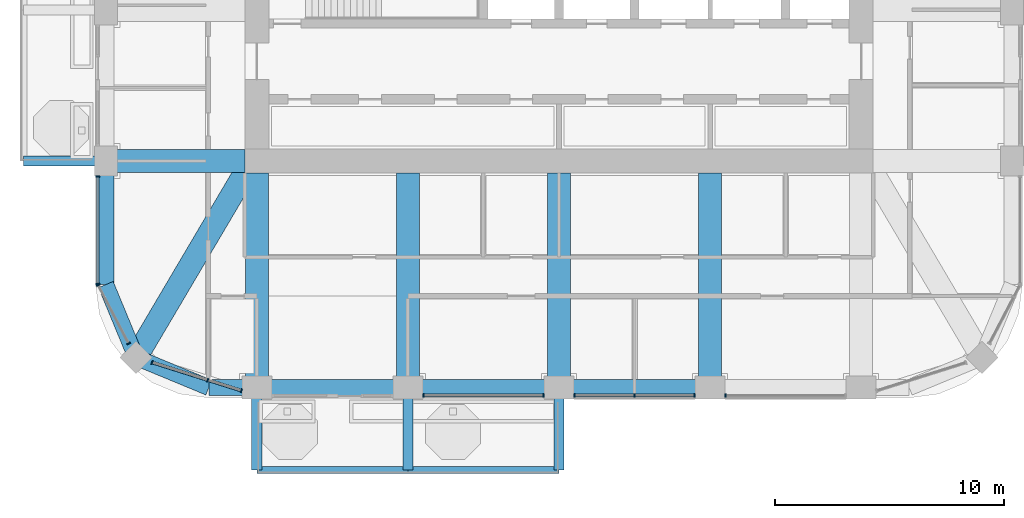
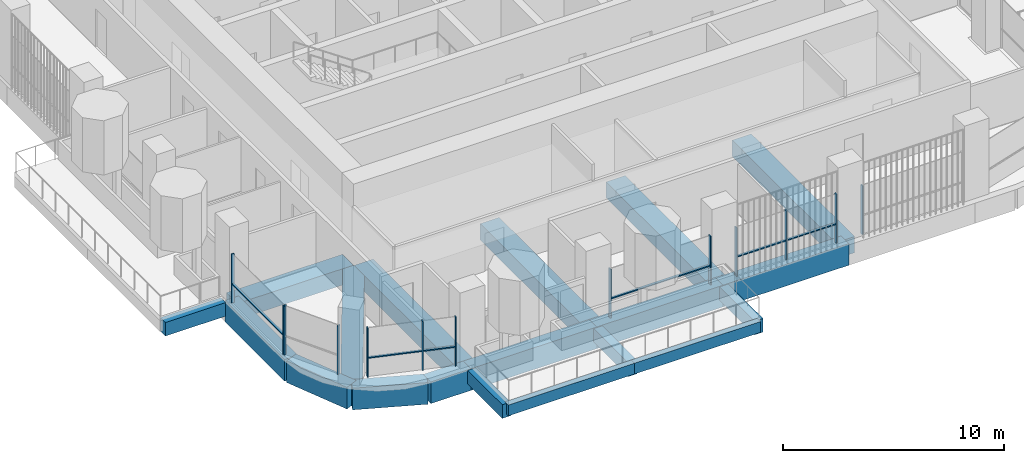
# One storey, part 2 of 20: 19 beams, 19 members, 6 elements without a shape of their own.
"""IFC4 building model written with IfcOpenShell, lengths in metres."""

import ifcopenshell
import ifcopenshell.guid

model = None  # the IFC model being written
_history = None  # IfcOwnerHistory: only IFC2X3 demands one
_inside = {}  # id of a spatial element -> (the spatial element, [elements in it])
_under = {}  # id of a project, library or spatial element -> (it, [spatial elements below it])
_declared = {}  # id of a project -> (the project, [libraries it declares])
_typed = {}  # id of a type object -> (the type object, [elements of that type])
_made_of = {}  # id of a material, layer set ... -> (it, [elements and type objects made of it])


def new_model(schema):
    """Start an empty IFC model of exactly this schema.

    Asked for "IFC4X3", IfcOpenShell would pick the latest addendum, in which some entities
    have other attributes; the version numbers below select the first issue.
    IFC2X3 requires an IfcOwnerHistory on every rooted entity: one is made here for all.
    """
    global model, _history
    if schema == "IFC4X3":
        model = ifcopenshell.file(schema_version=(4, 3, 0, 0))
    else:
        model = ifcopenshell.file(schema=schema)
    _inside.clear()
    _under.clear()
    _declared.clear()
    _typed.clear()
    _made_of.clear()
    _history = None
    if model.schema == "IFC2X3":
        org = make("IfcOrganization", Name="unknown")
        user = make(
            "IfcPersonAndOrganization",
            ThePerson=make("IfcPerson", FamilyName="unknown"),
            TheOrganization=org,
        )
        app = make(
            "IfcApplication",
            ApplicationDeveloper=org,
            Version="unknown",
            ApplicationFullName="unknown",
            ApplicationIdentifier="unknown",
        )
        _history = make(
            "IfcOwnerHistory",
            OwningUser=user,
            OwningApplication=app,
            ChangeAction="ADDED",
            CreationDate=0,
        )
    return model


def make(cls, **values):
    """One entity of the class cls with the attributes given. An attribute that is None is left unset."""
    return model.create_entity(
        cls, **{name: value for name, value in values.items() if value is not None}
    )


def rooted(cls, **values):
    """An entity with a GlobalId (a new one), such as an element, a storey or a relation."""
    return make(cls, GlobalId=ifcopenshell.guid.new(), OwnerHistory=_history, **values)


def si_unit(unit_type, name, prefix=None):
    """IfcSIUnit, for example si_unit("LENGTHUNIT", "METRE", prefix="MILLI")."""
    return make("IfcSIUnit", UnitType=unit_type, Prefix=prefix, Name=name)


def assignment(units):
    """IfcUnitAssignment: the units of a project."""
    return None if units is None else make("IfcUnitAssignment", Units=units)


def point(xyz):
    """IfcCartesianPoint."""
    return None if xyz is None else make("IfcCartesianPoint", Coordinates=xyz)


def direction(xyz):
    """IfcDirection."""
    return None if xyz is None else make("IfcDirection", DirectionRatios=xyz)


def frame(location, z_axis=None, x_axis=None):
    """IfcAxis2Placement3D, a coordinate frame: its origin and axes. An axis left out is left unset."""
    return make(
        "IfcAxis2Placement3D",
        Location=point(location),
        Axis=direction(z_axis),
        RefDirection=direction(x_axis),
    )


def frame_2d(location, x_axis=None):
    """IfcAxis2Placement2D, a coordinate frame in the plane: its origin and x axis."""
    return make(
        "IfcAxis2Placement2D", Location=point(location), RefDirection=direction(x_axis)
    )


def origin():
    """The frame at (0, 0, 0) with its axes left unset."""
    return frame((0.0, 0.0, 0.0))


def origin_2d():
    """The frame at (0, 0) in the plane with its x axis left unset."""
    return frame_2d((0.0, 0.0))


def place(relative_to, where):
    """IfcLocalPlacement: puts the frame where relative to a parent placement (None: the world)."""
    return make(
        "IfcLocalPlacement", PlacementRelTo=relative_to, RelativePlacement=where
    )


def context(
    kind, dimensions, precision=None, world=None, true_north=None, identifier=None
):
    """IfcGeometricRepresentationContext, for example the 3D "Model" context."""
    return make(
        "IfcGeometricRepresentationContext",
        ContextIdentifier=identifier,
        ContextType=kind,
        CoordinateSpaceDimension=dimensions,
        Precision=precision,
        WorldCoordinateSystem=world,
        TrueNorth=true_north,
    )


def subcontext(parent, identifier, kind, view, scale=None):
    """IfcGeometricRepresentationSubContext, for example "Body" below "Model"."""
    return make(
        "IfcGeometricRepresentationSubContext",
        ContextIdentifier=identifier,
        ContextType=kind,
        ParentContext=parent,
        TargetScale=scale,
        TargetView=view,
    )


def project(units=None, contexts=None):
    """IfcProject with its units and contexts."""
    return rooted(
        "IfcProject",
        Name="project",
        RepresentationContexts=contexts,
        UnitsInContext=assignment(units),
    )


def spatial(cls, under=None, at=None, **own):
    """A site, building, storey or space (cls), placed at a placement, below another one or the project."""
    s = rooted(cls, ObjectPlacement=at, **own)
    if under is not None:
        _under.setdefault(under.id(), (under, []))[1].append(s)
    return s


def profile(cls, at=None, kind="AREA", **sizes):
    """A parametric profile (cls). Its sizes go by their IFC names, for example OverallWidth=200.0."""
    return make(cls, ProfileType=kind, Position=at, **sizes)


def rectangle(**sizes):
    """IfcRectangleProfileDef."""
    return profile("IfcRectangleProfileDef", **sizes)


def extrude(swept, where, along, depth):
    """IfcExtrudedAreaSolid: the profile swept, set in the frame where, extruded along a direction by depth."""
    return make(
        "IfcExtrudedAreaSolid",
        SweptArea=swept,
        Position=where,
        ExtrudedDirection=direction(along),
        Depth=depth,
    )


def shape(context_of_items, identifier, shape_type, items):
    """IfcShapeRepresentation: the items that make up one representation, for example the "Body"."""
    return make(
        "IfcShapeRepresentation",
        ContextOfItems=context_of_items,
        RepresentationIdentifier=identifier,
        RepresentationType=shape_type,
        Items=items,
    )


def material(Name=None, Category=None):
    """IfcMaterial."""
    return make("IfcMaterial", Name=Name, Category=Category)


def material_profile(
    of_material, cross_section, Name=None, Category=None, Priority=None
):
    """IfcMaterialProfile: a cross section and its material."""
    return make(
        "IfcMaterialProfile",
        Name=Name,
        Material=of_material,
        Profile=cross_section,
        Priority=Priority,
        Category=Category,
    )


def profile_set(profiles, Name=None, composite=None):
    """IfcMaterialProfileSet."""
    return make(
        "IfcMaterialProfileSet",
        Name=Name,
        MaterialProfiles=profiles,
        CompositeProfile=composite,
    )


def made_of(thing, what):
    """Note that an element or type object is made of a material, layer set ...; save() writes the relation."""
    if what is not None:
        _made_of.setdefault(what.id(), (what, []))[1].append(thing)
    return thing


def type_object(cls, material=None, **own):
    """A type object (cls), such as IfcWallType, which elements share."""
    return made_of(rooted(cls, **own), material)


def element(
    cls,
    number,
    at=None,
    inside=None,
    cuts=None,
    type_object=None,
    material=None,
    context=None,
    identifier="Body",
    shape_type=None,
    held_by="IfcProductDefinitionShape",
    body=None,
    shapes=None,
    **own,
):
    """One element of the class cls, such as IfcWall. Its Tag is "e" and its number.

    at: its placement. inside: the storey or other place that contains it. cuts: it is an
    opening in that element (IfcRelVoidsElement). A single representation is given by context,
    identifier, shape_type and body (its items); several are given by shapes. held_by: the class
    of the entity that holds the representations. save() writes the other relations.
    """
    e = rooted(cls, Tag="e%d" % number, ObjectPlacement=at, **own)
    if body is not None:
        shapes = [shape(context, identifier, shape_type, body)]
    if shapes is not None:
        e.Representation = make(held_by, Representations=shapes)
    if inside is not None:
        _inside.setdefault(inside.id(), (inside, []))[1].append(e)
    if cuts is not None:
        rooted(
            "IfcRelVoidsElement", RelatingBuildingElement=cuts, RelatedOpeningElement=e
        )
    if type_object is not None:
        _typed.setdefault(type_object.id(), (type_object, []))[1].append(e)
    return made_of(e, material)


def aggregate(whole, parts):
    """IfcRelAggregates: a whole, such as a stair, and the parts it consists of."""
    return rooted("IfcRelAggregates", RelatingObject=whole, RelatedObjects=parts)


def save(model, path):
    """Write the relations noted so far, then the file.

    IfcRelAggregates (storeys below a building ...), IfcRelContainedInSpatialStructure (elements
    in a storey), IfcRelDefinesByType, IfcRelAssociatesMaterial and IfcRelDeclares: one each for
    every whole, place, type object, material and project.
    """
    for whole, parts in _under.values():
        aggregate(whole, parts)
    for where, things in _inside.values():
        rooted(
            "IfcRelContainedInSpatialStructure",
            RelatedElements=things,
            RelatingStructure=where,
        )
    for kind, things in _typed.values():
        rooted("IfcRelDefinesByType", RelatedObjects=things, RelatingType=kind)
    for what, things in _made_of.values():
        rooted("IfcRelAssociatesMaterial", RelatedObjects=things, RelatingMaterial=what)
    for by, libraries in _declared.values():
        rooted("IfcRelDeclares", RelatingContext=by, RelatedDefinitions=libraries)
    model.write(path)


model = new_model("IFC4")

# Units and contexts
model_context = context("Model", 3, precision=1e-05, world=origin(), true_north=direction((0.0, 1.0)))
body_context = subcontext(model_context, "Body", "Model", "MODEL_VIEW")
ifc_project = project(units=[si_unit("LENGTHUNIT", "METRE"), si_unit("AREAUNIT", "SQUARE_METRE"), si_unit("VOLUMEUNIT", "CUBIC_METRE"), si_unit("PLANEANGLEUNIT", "RADIAN"), si_unit("MASSUNIT", "GRAM", prefix="KILO")], contexts=[model_context])

# Site, building, storey
site_placement = place(None, origin())
site = spatial("IfcSite", under=ifc_project, at=site_placement, CompositionType="ELEMENT")
building_placement = place(site_placement, origin())
building = spatial("IfcBuilding", under=site, at=building_placement, Name="Cobogo Forest Laboratory Tower", CompositionType="ELEMENT")
storey_placement = place(building_placement, frame((0.0, 0.0, 254.39990234375)))
storey = spatial("IfcBuildingStorey", under=building, at=storey_placement, Name="L58", CompositionType="ELEMENT", Elevation=254.39990234375)

# Beams
ifc_material_1 = material(Name="Concrete HA-40 (C40/50)", Category="concrete")
ifc_material_profile_1 = material_profile(ifc_material_1, rectangle(XDim=0.449951171875, YDim=0.75, at=origin_2d()), Name="RC 450x750")
ifc_profile_set_1 = profile_set([ifc_material_profile_1], Name="Concrete HA-40 (C40/50)")
beam_type_1 = type_object("IfcBeamType", Name="Balcony cantilever beam 450x750", PredefinedType="BEAM", material=ifc_profile_set_1)
for number, where, z_axis, x_axis, name in (
    (1, (13.199951171875, 2.85009765625, -0.625), (0.0, -1.0, 0.0), (1.0, 0.0, 0.0), "CB1 BAL-S1-C1 L58"),
    (2, (19.800048828125, 2.85009765625, -0.625), (0.0, -1.0, 0.0), (1.0, 0.0, 0.0), "CB1 BAL-S1-C2 L58"),
    (3, (26.39990234375, 2.85009765625, -0.625), (0.0, -1.0, 0.0), (1.0, 0.0, 0.0), "CB1 BAL-S1-C3 L58"),
):
    element("IfcBeam", number, at=place(storey_placement, frame(where, z_axis=z_axis, x_axis=x_axis)), inside=storey, type_object=beam_type_1, Name=name, PredefinedType="BEAM", context=body_context, shape_type="SweptSolid", body=[
        extrude(rectangle(XDim=0.449951171875, YDim=0.75, at=origin_2d()), origin(), (0.0, 0.0, 1.0), 3.150146484375),
    ])
beam_1_placement = place(storey_placement, frame((6.14990234375, 13.199951171875, -0.625), z_axis=(-1.0, 0.0, 0.0), x_axis=(0.0, -1.0, 0.0)))
element("IfcBeam", 4, at=beam_1_placement, inside=storey, type_object=beam_type_1, Name="CB1 BAL-W1-C1 L58", PredefinedType="BEAM", context=body_context, shape_type="SweptSolid", body=[
    extrude(rectangle(XDim=0.449951171875, YDim=0.75, at=origin_2d()), origin(), (0.0, 0.0, 1.0), 3.14990234375),
])
ifc_material_profile_2 = material_profile(ifc_material_1, rectangle(XDim=0.300048828125, YDim=0.60009765625, at=origin_2d()), Name="RC 300x600")
ifc_profile_set_2 = profile_set([ifc_material_profile_2], Name="Concrete HA-40 (C40/50)")
beam_type_2 = type_object("IfcBeamType", Name="Balcony edge beam 300x600", PredefinedType="BEAM", material=ifc_profile_set_2)
beam_2_placement = place(storey_placement, frame((13.199951171875, -0.300048828125, -0.5498046875), z_axis=(1.0, 0.0, 0.0), x_axis=(0.0, 1.0, 0.0)))
element("IfcBeam", 5, at=beam_2_placement, inside=storey, type_object=beam_type_2, Name="BB1 BAL-S1-T1 L58", PredefinedType="BEAM", context=body_context, shape_type="SweptSolid", body=[
    extrude(rectangle(XDim=0.300048828125, YDim=0.60009765625, at=origin_2d()), origin(), (0.0, 0.0, 1.0), 6.60009765625),
])
beam_3_placement = place(storey_placement, frame((19.800048828125, -0.300048828125, -0.5498046875), z_axis=(1.0, 0.0, 0.0), x_axis=(0.0, 1.0, 0.0)))
element("IfcBeam", 6, at=beam_3_placement, inside=storey, type_object=beam_type_2, Name="BB1 BAL-S1-T2 L58", PredefinedType="BEAM", context=body_context, shape_type="SweptSolid", body=[
    extrude(rectangle(XDim=0.300048828125, YDim=0.60009765625, at=origin_2d()), origin(), (0.0, 0.0, 1.0), 6.599853515625),
])

# Curtain wall, members
ifc_material_2 = material(Name="Aluminium curtain wall", Category="aluminium")
curtain_wall_type = type_object("IfcCurtainWallType", Name="CW-2 unitised curtain wall, solar control glazing, laboratory floors zones C and D", PredefinedType="USERDEFINED", material=ifc_material_2)
curtain_wall_1_placement = place(storey_placement, origin())
curtain_wall_1 = element("IfcCurtainWall", 7, at=curtain_wall_1_placement, inside=storey, type_object=curtain_wall_type, Name="Curtain wall 02 L58", ObjectType="UNITISED CURTAIN WALL", PredefinedType="USERDEFINED")
ifc_material_3 = material(Name="Aluminium mullion", Category="aluminium")
ifc_material_profile_3 = material_profile(ifc_material_3, rectangle(XDim=0.06005859375, YDim=0.159912109375, at=origin_2d()), Name="AL 60x160")
ifc_profile_set_3 = profile_set([ifc_material_profile_3], Name="Aluminium mullion")
member_type_1 = type_object("IfcMemberType", Name="MU-1 aluminium mullion 60x160", PredefinedType="MULLION", material=ifc_profile_set_3)
member_1_placement = place(storey_placement, frame((20.47998046875, 2.949951171875, 0.0), z_axis=(0.0, 0.0, 1.0), x_axis=(1.0, 0.0, 0.0)))
member_1 = element("IfcMember", 8, at=member_1_placement, type_object=member_type_1, Name="CW-2 mullion 1", PredefinedType="MULLION", context=body_context, shape_type="SweptSolid", body=[
    extrude(rectangle(XDim=0.06005859375, YDim=0.159912109375, at=origin_2d()), origin(), (0.0, 0.0, 1.0), 2.7001953125),
])
member_2_placement = place(storey_placement, frame((25.719970703125, 2.949951171875, 0.0), z_axis=(0.0, 0.0, 1.0), x_axis=(1.0, 0.0, 0.0)))
member_2 = element("IfcMember", 9, at=member_2_placement, type_object=member_type_1, Name="CW-2 mullion 2", PredefinedType="MULLION", context=body_context, shape_type="SweptSolid", body=[
    extrude(rectangle(XDim=0.06005859375, YDim=0.159912109375, at=origin_2d()), origin(), (0.0, 0.0, 1.0), 2.7001953125),
])

curtain_wall_2_placement = place(storey_placement, origin())
curtain_wall_2 = element("IfcCurtainWall", 10, at=curtain_wall_2_placement, inside=storey, type_object=curtain_wall_type, Name="Curtain wall 03 L58", ObjectType="UNITISED CURTAIN WALL", PredefinedType="USERDEFINED")
member_3_placement = place(storey_placement, frame((27.080078125, 2.949951171875, 0.0), z_axis=(0.0, 0.0, 1.0), x_axis=(1.0, 0.0, 0.0)))
member_3 = element("IfcMember", 11, at=member_3_placement, type_object=member_type_1, Name="CW-2 mullion 1", PredefinedType="MULLION", context=body_context, shape_type="SweptSolid", body=[
    extrude(rectangle(XDim=0.06005859375, YDim=0.159912109375, at=origin_2d()), origin(), (0.0, 0.0, 1.0), 2.7001953125),
])
member_4_placement = place(storey_placement, frame((29.699951171875, 2.949951171875, 0.0), z_axis=(0.0, 0.0, 1.0), x_axis=(1.0, 0.0, 0.0)))
member_4 = element("IfcMember", 12, at=member_4_placement, type_object=member_type_1, Name="CW-2 mullion 2", PredefinedType="MULLION", context=body_context, shape_type="SweptSolid", body=[
    extrude(rectangle(XDim=0.06005859375, YDim=0.159912109375, at=origin_2d()), origin(), (0.0, 0.0, 1.0), 2.7001953125),
])
member_5_placement = place(storey_placement, frame((32.320068359375, 2.949951171875, 0.0), z_axis=(0.0, 0.0, 1.0), x_axis=(1.0, 0.0, 0.0)))
member_5 = element("IfcMember", 13, at=member_5_placement, type_object=member_type_1, Name="CW-2 mullion 3", PredefinedType="MULLION", context=body_context, shape_type="SweptSolid", body=[
    extrude(rectangle(XDim=0.06005859375, YDim=0.159912109375, at=origin_2d()), origin(), (0.0, 0.0, 1.0), 2.7001953125),
])

# Curtain wall, member
curtain_wall_3_placement = place(storey_placement, origin())
curtain_wall_3 = element("IfcCurtainWall", 14, at=curtain_wall_3_placement, inside=storey, type_object=curtain_wall_type, Name="Curtain wall 04 L58", ObjectType="UNITISED CURTAIN WALL", PredefinedType="USERDEFINED")
member_6_placement = place(storey_placement, frame((33.679931640625, 2.949951171875, 0.0), z_axis=(0.0, 0.0, 1.0), x_axis=(1.0, 0.0, 0.0)))
member_6 = element("IfcMember", 15, at=member_6_placement, type_object=member_type_1, Name="CW-2 mullion 1", PredefinedType="MULLION", context=body_context, shape_type="SweptSolid", body=[
    extrude(rectangle(XDim=0.06005859375, YDim=0.159912109375, at=origin_2d()), origin(), (0.0, 0.0, 1.0), 2.7001953125),
])
aggregate(curtain_wall_3, [member_6])

# Curtain wall, members
curtain_wall_4_placement = place(storey_placement, origin())
curtain_wall_4 = element("IfcCurtainWall", 16, at=curtain_wall_4_placement, inside=storey, type_object=curtain_wall_type, Name="Curtain wall 24 L58", ObjectType="UNITISED CURTAIN WALL", PredefinedType="USERDEFINED")
member_7_placement = place(storey_placement, frame((6.25, 12.52001953125, 0.0), z_axis=(0.0, 0.0, 1.0), x_axis=(0.0, -1.0, 0.0)))
member_7 = element("IfcMember", 17, at=member_7_placement, type_object=member_type_1, Name="CW-2 mullion 1", PredefinedType="MULLION", context=body_context, shape_type="SweptSolid", body=[
    extrude(rectangle(XDim=0.06005859375, YDim=0.159912109375, at=origin_2d()), origin(), (0.0, 0.0, 1.0), 2.7001953125),
])
member_8_placement = place(storey_placement, frame((6.25, 7.830078125, 0.0), z_axis=(0.0, 0.0, 1.0), x_axis=(0.0, -1.0, 0.0)))
member_8 = element("IfcMember", 18, at=member_8_placement, type_object=member_type_1, Name="CW-2 mullion 2", PredefinedType="MULLION", context=body_context, shape_type="SweptSolid", body=[
    extrude(rectangle(XDim=0.06005859375, YDim=0.159912109375, at=origin_2d()), origin(), (0.0, 0.0, 1.0), 2.7001953125),
])

curtain_wall_5_placement = place(storey_placement, origin())
curtain_wall_5 = element("IfcCurtainWall", 19, at=curtain_wall_5_placement, inside=storey, type_object=curtain_wall_type, Name="Curtain wall 25 L58", ObjectType="UNITISED CURTAIN WALL", PredefinedType="USERDEFINED")
member_9_placement = place(storey_placement, frame((6.263916015625, 7.7734375, 0.0), z_axis=(0.0, 0.0, 1.0), x_axis=(0.464283791352, -0.885686491422, 0.0)))
member_9 = element("IfcMember", 20, at=member_9_placement, type_object=member_type_1, Name="CW-2 mullion 1", PredefinedType="MULLION", context=body_context, shape_type="SweptSolid", body=[
    extrude(rectangle(XDim=0.06005859375, YDim=0.159912109375, at=origin_2d()), origin(), (0.0, 0.0, 1.0), 2.7001953125),
])
member_10_placement = place(storey_placement, frame((7.59765625, 5.229248046875, 0.0), z_axis=(0.0, 0.0, 1.0), x_axis=(0.464283791352, -0.885686491422, 0.0)))
member_10 = element("IfcMember", 21, at=member_10_placement, type_object=member_type_1, Name="CW-2 mullion 2", PredefinedType="MULLION", context=body_context, shape_type="SweptSolid", body=[
    extrude(rectangle(XDim=0.06005859375, YDim=0.159912109375, at=origin_2d()), origin(), (0.0, 0.0, 1.0), 2.7001953125),
])
aggregate(curtain_wall_5, [member_9, member_10])

curtain_wall_6_placement = place(storey_placement, origin())
curtain_wall_6 = element("IfcCurtainWall", 22, at=curtain_wall_6_placement, inside=storey, type_object=curtain_wall_type, Name="Curtain wall 26 L58", ObjectType="UNITISED CURTAIN WALL", PredefinedType="USERDEFINED")
member_11_placement = place(storey_placement, frame((8.623779296875, 4.395263671875, 0.0), z_axis=(0.0, 0.0, 1.0), x_axis=(0.953581386052, -0.301135418334, 0.0)))
member_11 = element("IfcMember", 23, at=member_11_placement, type_object=member_type_1, Name="CW-2 mullion 1", PredefinedType="MULLION", context=body_context, shape_type="SweptSolid", body=[
    extrude(rectangle(XDim=0.06005859375, YDim=0.159912109375, at=origin_2d()), origin(), (0.0, 0.0, 1.0), 2.7001953125),
])
member_12_placement = place(storey_placement, frame((11.051025390625, 3.628662109375, 0.0), z_axis=(0.0, 0.0, 1.0), x_axis=(0.953581386052, -0.301135418334, 0.0)))
member_12 = element("IfcMember", 24, at=member_12_placement, type_object=member_type_1, Name="CW-2 mullion 2", PredefinedType="MULLION", context=body_context, shape_type="SweptSolid", body=[
    extrude(rectangle(XDim=0.06005859375, YDim=0.159912109375, at=origin_2d()), origin(), (0.0, 0.0, 1.0), 2.7001953125),
])
member_13_placement = place(storey_placement, frame((12.521484375, 3.164306640625, 0.0), z_axis=(0.0, 0.0, 1.0), x_axis=(0.953581386052, -0.301135418334, 0.0)))
member_13 = element("IfcMember", 25, at=member_13_placement, type_object=member_type_1, Name="CW-2 mullion 3", PredefinedType="MULLION", context=body_context, shape_type="SweptSolid", body=[
    extrude(rectangle(XDim=0.06005859375, YDim=0.159912109375, at=origin_2d()), origin(), (0.0, 0.0, 1.0), 2.7001953125),
])

# Beams
ifc_material_profile_4 = material_profile(ifc_material_1, rectangle(XDim=1.0, YDim=0.89990234375, at=origin_2d()), Name="RC 1000x900")
ifc_profile_set_4 = profile_set([ifc_material_profile_4], Name="Concrete HA-40 (C40/50)")
beam_type_3 = type_object("IfcBeamType", Name="Office floor wide beam 1000x900", PredefinedType="BEAM", material=ifc_profile_set_4)
for number, where, z_axis, x_axis, name in (
    (26, (13.199951171875, 12.675048828125, -0.75), (0.0, -1.0, 0.0), (1.0, 0.0, 0.0), "RB2 R-3-S L58"),
    (27, (19.800048828125, 12.675048828125, -0.75), (0.0, -1.0, 0.0), (1.0, 0.0, 0.0), "RB2 R-4-S L58"),
    (28, (26.39990234375, 12.675048828125, -0.75), (0.0, -1.0, 0.0), (1.0, 0.0, 0.0), "RB2 R-5-S L58"),
    (29, (33.0, 12.675048828125, -0.75), (0.0, -1.0, 0.0), (1.0, 0.0, 0.0), "RB2 R-6-S L58"),
):
    element("IfcBeam", number, at=place(storey_placement, frame(where, z_axis=z_axis, x_axis=x_axis)), inside=storey, type_object=beam_type_3, Name=name, PredefinedType="BEAM", context=body_context, shape_type="SweptSolid", body=[
        extrude(rectangle(XDim=1.0, YDim=0.89990234375, at=origin_2d()), origin(), (0.0, 0.0, 1.0), 9.375),
    ])
beam_4_placement = place(storey_placement, frame((12.675048828125, 13.199951171875, -0.75), z_axis=(-1.0, 0.0, 0.0), x_axis=(0.0, -1.0, 0.0)))
element("IfcBeam", 30, at=beam_4_placement, inside=storey, type_object=beam_type_3, Name="RB2 R-C-W L58", PredefinedType="BEAM", context=body_context, shape_type="SweptSolid", body=[
    extrude(rectangle(XDim=1.0, YDim=0.89990234375, at=origin_2d()), origin(), (0.0, 0.0, 1.0), 6.074951171875),
])
beam_5_placement = place(storey_placement, frame((7.91796875, 4.617919921875, -0.75), z_axis=(0.508416325908, 0.861111397875, 0.0), x_axis=(-0.861111397875, 0.508416325908, 0.0)))
element("IfcBeam", 31, at=beam_5_placement, inside=storey, type_object=beam_type_3, Name="RB2 G-SW-D1 L58", PredefinedType="BEAM", context=body_context, shape_type="SweptSolid", body=[
    extrude(rectangle(XDim=1.0, YDim=0.89990234375, at=origin_2d()), origin(), (0.0, 0.0, 1.0), 9.356689453125),
])
ifc_material_profile_5 = material_profile(ifc_material_1, rectangle(XDim=0.699951171875, YDim=1.199951171875, at=origin_2d()), Name="RC 700x1200")
ifc_profile_set_5 = profile_set([ifc_material_profile_5], Name="Concrete HA-40 (C40/50)")
beam_type_4 = type_object("IfcBeamType", Name="Perimeter edge beam 700x1200", PredefinedType="BEAM", material=ifc_profile_set_5)
beam_6_placement = place(storey_placement, frame((13.199951171875, 3.300048828125, -0.89990234375), z_axis=(1.0, 0.0, 0.0), x_axis=(0.0, 1.0, 0.0)))
element("IfcBeam", 32, at=beam_6_placement, inside=storey, type_object=beam_type_4, Name="EB1 E-S1 L58", PredefinedType="BEAM", context=body_context, shape_type="SweptSolid", body=[
    extrude(rectangle(XDim=0.699951171875, YDim=1.199951171875, at=origin_2d()), origin(), (0.0, 0.0, 1.0), 6.60009765625),
])
beam_7_placement = place(storey_placement, frame((19.800048828125, 3.300048828125, -0.89990234375), z_axis=(1.0, 0.0, 0.0), x_axis=(0.0, 1.0, 0.0)))
element("IfcBeam", 33, at=beam_7_placement, inside=storey, type_object=beam_type_4, Name="EB1 E-S2 L58", PredefinedType="BEAM", context=body_context, shape_type="SweptSolid", body=[
    extrude(rectangle(XDim=0.699951171875, YDim=1.199951171875, at=origin_2d()), origin(), (0.0, 0.0, 1.0), 6.599853515625),
])
beam_8_placement = place(storey_placement, frame((26.39990234375, 3.300048828125, -0.89990234375), z_axis=(1.0, 0.0, 0.0), x_axis=(0.0, 1.0, 0.0)))
element("IfcBeam", 34, at=beam_8_placement, inside=storey, type_object=beam_type_4, Name="EB1 E-S3 L58", PredefinedType="BEAM", context=body_context, shape_type="SweptSolid", body=[
    extrude(rectangle(XDim=0.699951171875, YDim=1.199951171875, at=origin_2d()), origin(), (0.0, 0.0, 1.0), 6.60009765625),
])
beam_9_placement = place(storey_placement, frame((13.199951171875, 3.300048828125, -0.89990234375), z_axis=(-1.0, 0.0, 0.0), x_axis=(0.0, -1.0, 0.0)))
element("IfcBeam", 35, at=beam_9_placement, inside=storey, type_object=beam_type_4, Name="EB1 E-SWS1 L58", PredefinedType="BEAM", context=body_context, shape_type="SweptSolid", body=[
    extrude(rectangle(XDim=0.699951171875, YDim=1.199951171875, at=origin_2d()), origin(), (0.0, 0.0, 1.0), 2.099853515625),
])
beam_10_placement = place(storey_placement, frame((11.10009765625, 3.300048828125, -0.89990234375), z_axis=(-0.923901072997, 0.382631424892, 0.0), x_axis=(-0.382631424892, -0.923901072997, 0.0)))
element("IfcBeam", 36, at=beam_10_placement, inside=storey, type_object=beam_type_4, Name="EB1 E-SWS2 L58", PredefinedType="BEAM", context=body_context, shape_type="SweptSolid", body=[
    extrude(rectangle(XDim=0.699951171875, YDim=1.199951171875, at=origin_2d()), origin(), (0.0, 0.0, 1.0), 3.4443359375),
])
beam_11_placement = place(storey_placement, frame((6.60009765625, 13.199951171875, -0.89990234375), z_axis=(0.0, -1.0, 0.0), x_axis=(1.0, 0.0, 0.0)))
element("IfcBeam", 37, at=beam_11_placement, inside=storey, type_object=beam_type_4, Name="EB1 E-SWW1 L58", PredefinedType="BEAM", context=body_context, shape_type="SweptSolid", body=[
    extrude(rectangle(XDim=0.699951171875, YDim=1.199951171875, at=origin_2d()), origin(), (0.0, 0.0, 1.0), 5.39990234375),
])
beam_12_placement = place(storey_placement, frame((6.60009765625, 7.800048828125, -0.89990234375), z_axis=(0.382631424892, -0.923901072997, 0.0), x_axis=(0.923901072997, 0.382631424892, 0.0)))
element("IfcBeam", 38, at=beam_12_placement, inside=storey, type_object=beam_type_4, Name="EB1 E-SWW2 L58", PredefinedType="BEAM", context=body_context, shape_type="SweptSolid", body=[
    extrude(rectangle(XDim=0.699951171875, YDim=1.199951171875, at=origin_2d()), origin(), (0.0, 0.0, 1.0), 3.4443359375),
])

# Member
ifc_material_4 = material(Name="Aluminium transom", Category="aluminium")
ifc_material_profile_6 = material_profile(ifc_material_4, rectangle(XDim=0.1201171875, YDim=0.06005859375, at=origin_2d()), Name="AL 60x120")
ifc_profile_set_6 = profile_set([ifc_material_profile_6], Name="Aluminium transom")
member_type_2 = type_object("IfcMemberType", Name="TR-1 aluminium transom 60x120", PredefinedType="USERDEFINED", material=ifc_profile_set_6)
member_14_placement = place(storey_placement, frame((20.510009765625, 2.949951171875, 1.050048828125), z_axis=(1.0, 0.0, 0.0), x_axis=(0.0, 1.0, 0.0)))
member_14 = element("IfcMember", 39, at=member_14_placement, type_object=member_type_2, Name="CW-2 transom 1.1", ObjectType="TRANSOM", PredefinedType="USERDEFINED", context=body_context, shape_type="SweptSolid", body=[
    extrude(rectangle(XDim=0.1201171875, YDim=0.06005859375, at=origin_2d()), origin(), (0.0, 0.0, 1.0), 5.179931640625),
])

aggregate(curtain_wall_1, [member_1, member_2, member_14])

member_15_placement = place(storey_placement, frame((27.110107421875, 2.949951171875, 1.050048828125), z_axis=(1.0, 0.0, 0.0), x_axis=(0.0, 1.0, 0.0)))
member_15 = element("IfcMember", 40, at=member_15_placement, type_object=member_type_2, Name="CW-2 transom 1.1", ObjectType="TRANSOM", PredefinedType="USERDEFINED", context=body_context, shape_type="SweptSolid", body=[
    extrude(rectangle(XDim=0.1201171875, YDim=0.06005859375, at=origin_2d()), origin(), (0.0, 0.0, 1.0), 2.559814453125),
])

member_16_placement = place(storey_placement, frame((29.72998046875, 2.949951171875, 1.050048828125), z_axis=(1.0, 0.0, 0.0), x_axis=(0.0, 1.0, 0.0)))
member_16 = element("IfcMember", 41, at=member_16_placement, type_object=member_type_2, Name="CW-2 transom 2.1", ObjectType="TRANSOM", PredefinedType="USERDEFINED", context=body_context, shape_type="SweptSolid", body=[
    extrude(rectangle(XDim=0.1201171875, YDim=0.06005859375, at=origin_2d()), origin(), (0.0, 0.0, 1.0), 2.56005859375),
])

aggregate(curtain_wall_2, [member_3, member_4, member_5, member_15, member_16])

member_17_placement = place(storey_placement, frame((6.25, 12.489990234375, 1.050048828125), z_axis=(0.0, -1.0, 0.0), x_axis=(1.0, 0.0, 0.0)))
member_17 = element("IfcMember", 42, at=member_17_placement, type_object=member_type_2, Name="CW-2 transom 1.1", ObjectType="TRANSOM", PredefinedType="USERDEFINED", context=body_context, shape_type="SweptSolid", body=[
    extrude(rectangle(XDim=0.1201171875, YDim=0.06005859375, at=origin_2d()), origin(), (0.0, 0.0, 1.0), 4.6298828125),
])

aggregate(curtain_wall_4, [member_7, member_8, member_17])

member_18_placement = place(storey_placement, frame((8.65234375, 4.38623046875, 1.050048828125), z_axis=(0.953564847589, -0.301187784352, 0.0), x_axis=(0.301187784352, 0.953564847589, 0.0)))
member_18 = element("IfcMember", 43, at=member_18_placement, type_object=member_type_2, Name="CW-2 transom 1.1", ObjectType="TRANSOM", PredefinedType="USERDEFINED", context=body_context, shape_type="SweptSolid", body=[
    extrude(rectangle(XDim=0.1201171875, YDim=0.06005859375, at=origin_2d()), origin(), (0.0, 0.0, 1.0), 2.4853515625),
])

member_19_placement = place(storey_placement, frame((11.07958984375, 3.61962890625, 1.050048828125), z_axis=(0.953572704918, -0.301162906805, 0.0), x_axis=(0.301162906805, 0.953572704918, 0.0)))
member_19 = element("IfcMember", 44, at=member_19_placement, type_object=member_type_2, Name="CW-2 transom 2.1", ObjectType="TRANSOM", PredefinedType="USERDEFINED", context=body_context, shape_type="SweptSolid", body=[
    extrude(rectangle(XDim=0.1201171875, YDim=0.06005859375, at=origin_2d()), origin(), (0.0, 0.0, 1.0), 1.48193359375),
])

aggregate(curtain_wall_6, [member_11, member_12, member_13, member_18, member_19])

save(model, "model.ifc")
